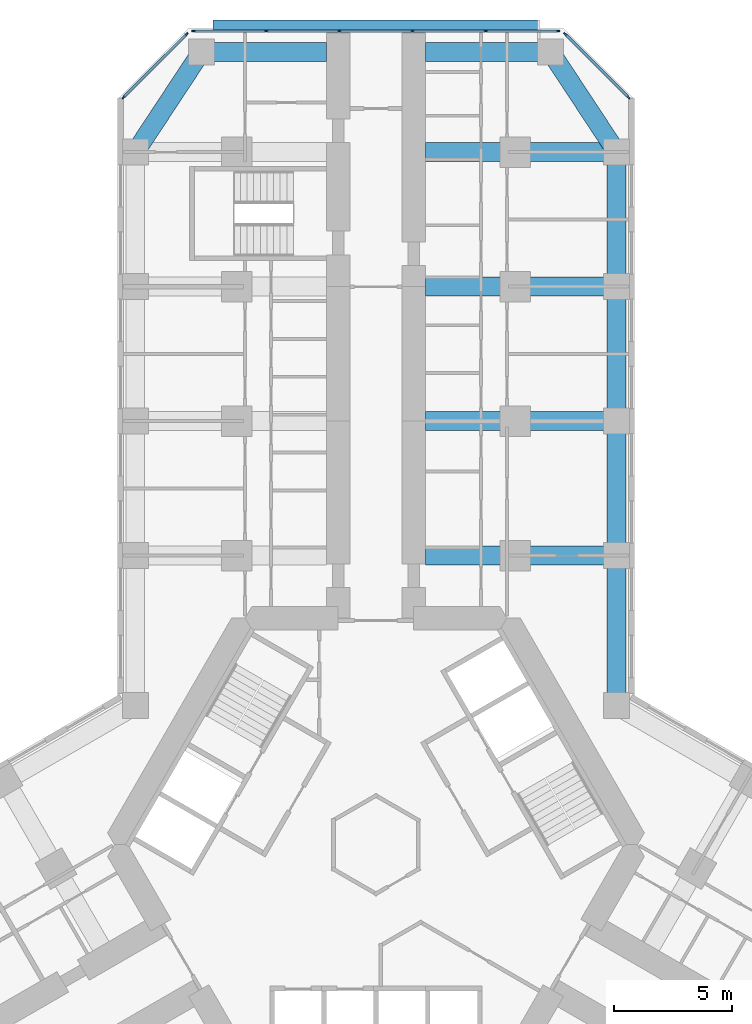
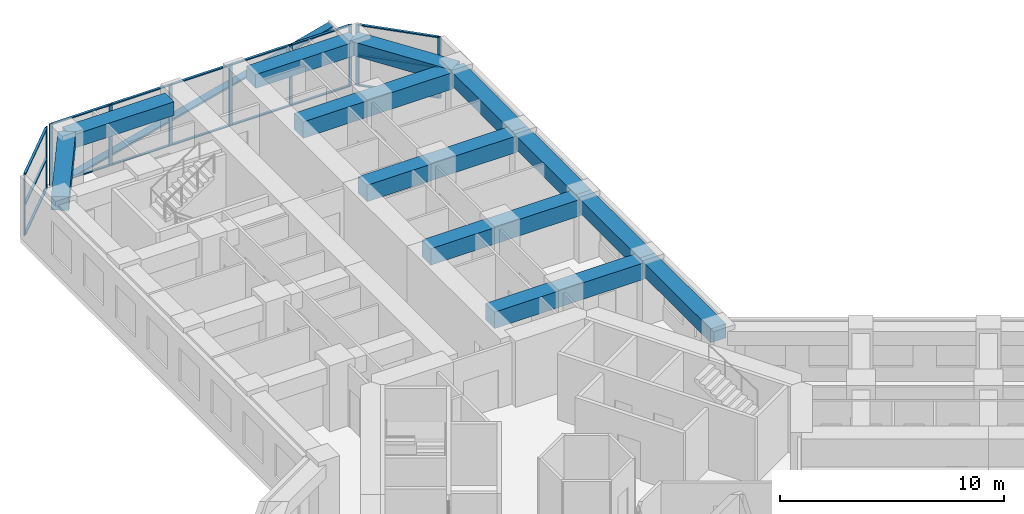
# One storey, part 7 of 21: 27 members, 12 beams, 3 elements without a shape of their own.
"""IFC4 building model written with IfcOpenShell, lengths in metres."""

from ifc_helpers import new_model, si_unit, direction, frame, origin, origin_2d, place, context, subcontext, project, spatial, rectangle, extrude, material, material_profile, profile_set, type_object, element, aggregate, save


model = new_model("IFC4")

# Units and contexts
model_context = context("Model", 3, precision=1e-05, world=origin(), true_north=direction((0.0, 1.0)))
body_context = subcontext(model_context, "Body", "Model", "MODEL_VIEW")
ifc_project = project(units=[si_unit("LENGTHUNIT", "METRE"), si_unit("AREAUNIT", "SQUARE_METRE"), si_unit("VOLUMEUNIT", "CUBIC_METRE"), si_unit("PLANEANGLEUNIT", "RADIAN"), si_unit("MASSUNIT", "GRAM", prefix="KILO")], contexts=[model_context])

# Site, building, storey
site_placement = place(None, origin())
site = spatial("IfcSite", under=ifc_project, at=site_placement, CompositionType="ELEMENT")
building_placement = place(site_placement, origin())
building = spatial("IfcBuilding", under=site, at=building_placement, Name="Kosmar Iwan School Tower", CompositionType="ELEMENT")
storey_placement = place(building_placement, frame((0.0, 0.0, 43.0)))
storey = spatial("IfcBuildingStorey", under=building, at=storey_placement, Name="L09", CompositionType="ELEMENT", Elevation=43.0)

# Member
ifc_material_1 = material(Name="Black anodised aluminium", Category="aluminium")
ifc_material_profile_1 = material_profile(ifc_material_1, rectangle(XDim=0.10009765625, YDim=0.39990234375, at=origin_2d()), Name="FIN 100x400")
ifc_profile_set_1 = profile_set([ifc_material_profile_1], Name="Black anodised aluminium")
member_type_1 = type_object("IfcMemberType", Name="Diagonal fin 100x400", PredefinedType="USERDEFINED", material=ifc_profile_set_1)
member_1_placement = place(storey_placement, frame((-6.898193359375, 34.75, -0.14990234375), z_axis=(0.967603633438, 0.0, 0.252474174041), x_axis=(-0.252474174041, 0.0, 0.967603633438)))
element("IfcMember", 1, at=member_1_placement, inside=storey, type_object=member_type_1, Name="Diagonal fin L09-F08", ObjectType="FIN", PredefinedType="USERDEFINED", context=body_context, shape_type="SweptSolid", body=[
    extrude(rectangle(XDim=0.10009765625, YDim=0.39990234375, at=origin_2d()), origin(), (0.0, 0.0, 1.0), 14.25830078125),
])

# Curtain wall, members
ifc_material_2 = material(Name="Dark glass in black aluminium frame", Category="aluminium")
curtain_wall_type_1 = type_object("IfcCurtainWallType", Name="Chamfer curtain wall dark glass", PredefinedType="USERDEFINED", material=ifc_material_2)
curtain_wall_1_placement = place(storey_placement, origin())
curtain_wall_1 = element("IfcCurtainWall", 2, at=curtain_wall_1_placement, inside=storey, type_object=curtain_wall_type_1, Name="Curtain wall L09-F07", ObjectType="FACETED CURTAIN WALL", PredefinedType="USERDEFINED")
ifc_material_3 = material(Name="Black anodised aluminium", Category="aluminium")
ifc_material_profile_2 = material_profile(ifc_material_3, rectangle(XDim=0.06005859375, YDim=0.159912109375, at=origin_2d()), Name="MULLION 60x160")
ifc_profile_set_2 = profile_set([ifc_material_profile_2], Name="Black anodised aluminium")
member_type_2 = type_object("IfcMemberType", Name="Mullion 60x160", PredefinedType="MULLION", material=ifc_profile_set_2)
member_2_placement = place(storey_placement, frame((10.69775390625, 31.675537109375, 0.0), z_axis=(0.0, 0.0, 1.0), x_axis=(-0.707106781187, -0.707106781187, 0.0)))
member_2 = element("IfcMember", 3, at=member_2_placement, type_object=member_type_2, Name="CW2 mullion 1", PredefinedType="MULLION", context=body_context, shape_type="SweptSolid", body=[
    extrude(rectangle(XDim=0.06005859375, YDim=0.159912109375, at=origin_2d()), origin(), (0.0, 0.0, 1.0), 3.35009765625),
])
member_3_placement = place(storey_placement, frame((8.025390625, 34.34765625, 0.0), z_axis=(0.0, 0.0, 1.0), x_axis=(-0.707106781187, -0.707106781187, 0.0)))
member_3 = element("IfcMember", 4, at=member_3_placement, type_object=member_type_2, Name="CW2 mullion 2", PredefinedType="MULLION", context=body_context, shape_type="SweptSolid", body=[
    extrude(rectangle(XDim=0.06005859375, YDim=0.159912109375, at=origin_2d()), origin(), (0.0, 0.0, 1.0), 3.35009765625),
])

ifc_material_4 = material(Name="Dark glass in black aluminium frame", Category="aluminium")
curtain_wall_type_2 = type_object("IfcCurtainWallType", Name="Tower curtain wall dark glass", PredefinedType="USERDEFINED", material=ifc_material_4)
curtain_wall_2_placement = place(storey_placement, origin())
curtain_wall_2 = element("IfcCurtainWall", 5, at=curtain_wall_2_placement, inside=storey, type_object=curtain_wall_type_2, Name="Curtain wall L09-F08", ObjectType="UNITISED CURTAIN WALL", PredefinedType="USERDEFINED")
member_4_placement = place(storey_placement, frame((7.71826171875, 34.47509765625, 0.0), z_axis=(0.0, 0.0, 1.0), x_axis=(0.0, -1.0, 0.0)))
member_4 = element("IfcMember", 6, at=member_4_placement, type_object=member_type_2, Name="CW1 mullion 1", PredefinedType="MULLION", context=body_context, shape_type="SweptSolid", body=[
    extrude(rectangle(XDim=0.06005859375, YDim=0.159912109375, at=origin_2d()), origin(), (0.0, 0.0, 1.0), 3.35009765625),
])
member_5_placement = place(storey_placement, frame((4.64892578125, 34.47509765625, 0.0), z_axis=(0.0, 0.0, 1.0), x_axis=(0.0, -1.0, 0.0)))
member_5 = element("IfcMember", 7, at=member_5_placement, type_object=member_type_2, Name="CW1 mullion 2", PredefinedType="MULLION", context=body_context, shape_type="SweptSolid", body=[
    extrude(rectangle(XDim=0.06005859375, YDim=0.159912109375, at=origin_2d()), origin(), (0.0, 0.0, 1.0), 3.35009765625),
])
member_6_placement = place(storey_placement, frame((1.549560546875, 34.47509765625, 0.0), z_axis=(0.0, 0.0, 1.0), x_axis=(0.0, -1.0, 0.0)))
member_6 = element("IfcMember", 8, at=member_6_placement, type_object=member_type_2, Name="CW1 mullion 3", PredefinedType="MULLION", context=body_context, shape_type="SweptSolid", body=[
    extrude(rectangle(XDim=0.06005859375, YDim=0.159912109375, at=origin_2d()), origin(), (0.0, 0.0, 1.0), 3.35009765625),
])
member_7_placement = place(storey_placement, frame((-1.549560546875, 34.47509765625, 0.0), z_axis=(0.0, 0.0, 1.0), x_axis=(0.0, -1.0, 0.0)))
member_7 = element("IfcMember", 9, at=member_7_placement, type_object=member_type_2, Name="CW1 mullion 4", PredefinedType="MULLION", context=body_context, shape_type="SweptSolid", body=[
    extrude(rectangle(XDim=0.06005859375, YDim=0.159912109375, at=origin_2d()), origin(), (0.0, 0.0, 1.0), 3.35009765625),
])
member_8_placement = place(storey_placement, frame((-4.64892578125, 34.47509765625, 0.0), z_axis=(0.0, 0.0, 1.0), x_axis=(0.0, -1.0, 0.0)))
member_8 = element("IfcMember", 10, at=member_8_placement, type_object=member_type_2, Name="CW1 mullion 5", PredefinedType="MULLION", context=body_context, shape_type="SweptSolid", body=[
    extrude(rectangle(XDim=0.06005859375, YDim=0.159912109375, at=origin_2d()), origin(), (0.0, 0.0, 1.0), 3.35009765625),
])
member_9_placement = place(storey_placement, frame((-7.71826171875, 34.47509765625, 0.0), z_axis=(0.0, 0.0, 1.0), x_axis=(0.0, -1.0, 0.0)))
member_9 = element("IfcMember", 11, at=member_9_placement, type_object=member_type_2, Name="CW1 mullion 6", PredefinedType="MULLION", context=body_context, shape_type="SweptSolid", body=[
    extrude(rectangle(XDim=0.06005859375, YDim=0.159912109375, at=origin_2d()), origin(), (0.0, 0.0, 1.0), 3.35009765625),
])

curtain_wall_3_placement = place(storey_placement, origin())
curtain_wall_3 = element("IfcCurtainWall", 12, at=curtain_wall_3_placement, inside=storey, type_object=curtain_wall_type_1, Name="Curtain wall L09-F09", ObjectType="FACETED CURTAIN WALL", PredefinedType="USERDEFINED")
member_10_placement = place(storey_placement, frame((-8.025390625, 34.34765625, 0.0), z_axis=(0.0, 0.0, 1.0), x_axis=(0.707106781187, -0.707106781187, 0.0)))
member_10 = element("IfcMember", 13, at=member_10_placement, type_object=member_type_2, Name="CW2 mullion 1", PredefinedType="MULLION", context=body_context, shape_type="SweptSolid", body=[
    extrude(rectangle(XDim=0.06005859375, YDim=0.159912109375, at=origin_2d()), origin(), (0.0, 0.0, 1.0), 3.35009765625),
])
member_11_placement = place(storey_placement, frame((-10.69775390625, 31.675537109375, 0.0), z_axis=(0.0, 0.0, 1.0), x_axis=(0.707106781187, -0.707106781187, 0.0)))
member_11 = element("IfcMember", 14, at=member_11_placement, type_object=member_type_2, Name="CW2 mullion 2", PredefinedType="MULLION", context=body_context, shape_type="SweptSolid", body=[
    extrude(rectangle(XDim=0.06005859375, YDim=0.159912109375, at=origin_2d()), origin(), (0.0, 0.0, 1.0), 3.35009765625),
])

# Beams
ifc_material_5 = material(Name="Concrete C50/60", Category="concrete")
ifc_material_profile_3 = material_profile(ifc_material_5, rectangle(XDim=0.800048828125, YDim=0.75, at=origin_2d()), Name="RC 800x750")
ifc_profile_set_3 = profile_set([ifc_material_profile_3], Name="Concrete C50/60")
beam_type_1 = type_object("IfcBeamType", Name="RC edge beam 800x750", PredefinedType="BEAM", material=ifc_profile_set_3)
beam_1_placement = place(storey_placement, frame((10.199951171875, 5.888916015625, 2.97509765625), z_axis=(0.0, 1.0, 0.0), x_axis=(-1.0, 0.0, 0.0)))
element("IfcBeam", 15, at=beam_1_placement, inside=storey, type_object=beam_type_1, Name="Edge beam AR1", PredefinedType="BEAM", context=body_context, shape_type="SweptSolid", body=[
    extrude(rectangle(XDim=0.800048828125, YDim=0.75, at=origin_2d()), origin(), (0.0, 0.0, 1.0), 6.361083984375),
])
for number, where, z_axis, x_axis, name in (
    (16, (10.199951171875, 12.25, 2.97509765625), (0.0, 1.0, 0.0), (-1.0, 0.0, 0.0), "Edge beam AR2"),
    (17, (10.199951171875, 17.949951171875, 2.97509765625), (0.0, 1.0, 0.0), (-1.0, 0.0, 0.0), "Edge beam AR3"),
):
    element("IfcBeam", number, at=place(storey_placement, frame(where, z_axis=z_axis, x_axis=x_axis)), inside=storey, type_object=beam_type_1, Name=name, PredefinedType="BEAM", context=body_context, shape_type="SweptSolid", body=[
        extrude(rectangle(XDim=0.800048828125, YDim=0.75, at=origin_2d()), origin(), (0.0, 0.0, 1.0), 5.699951171875),
    ])
beam_2_placement = place(storey_placement, frame((10.199951171875, 23.64990234375, 2.97509765625), z_axis=(0.0, 1.0, 0.0), x_axis=(-1.0, 0.0, 0.0)))
element("IfcBeam", 18, at=beam_2_placement, inside=storey, type_object=beam_type_1, Name="Edge beam AR4", PredefinedType="BEAM", context=body_context, shape_type="SweptSolid", body=[
    extrude(rectangle(XDim=0.800048828125, YDim=0.75, at=origin_2d()), origin(), (0.0, 0.0, 1.0), 5.7001953125),
])
ifc_material_6 = material(Name="Concrete C50/60", Category="concrete")
ifc_material_profile_4 = material_profile(ifc_material_6, rectangle(XDim=0.800048828125, YDim=0.75, at=origin_2d()), Name="RC 800x750")
ifc_profile_set_4 = profile_set([ifc_material_profile_4], Name="Concrete C50/60")
beam_type_2 = type_object("IfcBeamType", Name="RC tip beam 800x750", PredefinedType="BEAM", material=ifc_profile_set_4)
beam_3_placement = place(storey_placement, frame((-10.199951171875, 29.35009765625, 2.97509765625), z_axis=(0.550164383043, 0.835056376319, 0.0), x_axis=(-0.835056376319, 0.550164383043, 0.0)))
element("IfcBeam", 19, at=beam_3_placement, inside=storey, type_object=beam_type_2, Name="Tip beam AL", PredefinedType="BEAM", context=body_context, shape_type="SweptSolid", body=[
    extrude(rectangle(XDim=0.800048828125, YDim=0.75, at=origin_2d()), origin(), (0.0, 0.0, 1.0), 5.08935546875),
])
beam_4_placement = place(storey_placement, frame((-7.39990234375, 33.60009765625, 2.97509765625), z_axis=(1.0, 0.0, 0.0), x_axis=(0.0, 1.0, 0.0)))
element("IfcBeam", 20, at=beam_4_placement, inside=storey, type_object=beam_type_2, Name="Tip beam AL to corridor wall", PredefinedType="BEAM", context=body_context, shape_type="SweptSolid", body=[
    extrude(rectangle(XDim=0.800048828125, YDim=0.75, at=origin_2d()), origin(), (0.0, 0.0, 1.0), 5.2998046875),
])
beam_5_placement = place(storey_placement, frame((10.199951171875, 29.35009765625, 2.97509765625), z_axis=(-0.550164383043, 0.835056376319, 0.0), x_axis=(-0.835056376319, -0.550164383043, 0.0)))
element("IfcBeam", 21, at=beam_5_placement, inside=storey, type_object=beam_type_2, Name="Tip beam AR", PredefinedType="BEAM", context=body_context, shape_type="SweptSolid", body=[
    extrude(rectangle(XDim=0.800048828125, YDim=0.75, at=origin_2d()), origin(), (0.0, 0.0, 1.0), 5.08935546875),
])
beam_6_placement = place(storey_placement, frame((7.39990234375, 33.60009765625, 2.97509765625), z_axis=(-1.0, 0.0, 0.0), x_axis=(0.0, -1.0, 0.0)))
element("IfcBeam", 22, at=beam_6_placement, inside=storey, type_object=beam_type_2, Name="Tip beam AR to corridor wall", PredefinedType="BEAM", context=body_context, shape_type="SweptSolid", body=[
    extrude(rectangle(XDim=0.800048828125, YDim=0.75, at=origin_2d()), origin(), (0.0, 0.0, 1.0), 5.2998046875),
])
ifc_material_7 = material(Name="Concrete C50/60", Category="concrete")
ifc_material_profile_5 = material_profile(ifc_material_7, rectangle(XDim=0.800048828125, YDim=0.89990234375, at=origin_2d()), Name="RC 800x900")
ifc_profile_set_5 = profile_set([ifc_material_profile_5], Name="Concrete C50/60")
beam_type_3 = type_object("IfcBeamType", Name="RC transverse beam 800x900", PredefinedType="BEAM", material=ifc_profile_set_5)
for number, where, z_axis, x_axis, name in (
    (23, (10.199951171875, 12.25, 2.89990234375), (-1.0, 0.0, 0.0), (0.0, -1.0, 0.0), "Transverse beam AR1"),
    (24, (10.199951171875, 17.949951171875, 2.89990234375), (-1.0, 0.0, 0.0), (0.0, -1.0, 0.0), "Transverse beam AR2"),
    (25, (10.199951171875, 23.64990234375, 2.89990234375), (-1.0, 0.0, 0.0), (0.0, -1.0, 0.0), "Transverse beam AR3"),
    (26, (10.199951171875, 29.35009765625, 2.89990234375), (-1.0, 0.0, 0.0), (0.0, -1.0, 0.0), "Transverse beam AR4"),
):
    element("IfcBeam", number, at=place(storey_placement, frame(where, z_axis=z_axis, x_axis=x_axis)), inside=storey, type_object=beam_type_3, Name=name, PredefinedType="BEAM", context=body_context, shape_type="SweptSolid", body=[
        extrude(rectangle(XDim=0.800048828125, YDim=0.89990234375, at=origin_2d()), origin(), (0.0, 0.0, 1.0), 8.099853515625),
    ])

# Member
ifc_material_8 = material(Name="Black anodised aluminium", Category="aluminium")
ifc_material_profile_6 = material_profile(ifc_material_8, rectangle(XDim=0.1201171875, YDim=0.06005859375, at=origin_2d()), Name="TRANSOM 60x120")
ifc_profile_set_6 = profile_set([ifc_material_profile_6], Name="Black anodised aluminium")
member_type_3 = type_object("IfcMemberType", Name="Transom 60x120", PredefinedType="USERDEFINED", material=ifc_profile_set_6)
member_12_placement = place(storey_placement, frame((10.676513671875, 31.69677734375, 0.030029296875), z_axis=(-0.707139603466, 0.707073957383, 0.0), x_axis=(-0.707073957383, -0.707139603466, 0.0)))
member_12 = element("IfcMember", 27, at=member_12_placement, type_object=member_type_3, Name="CW2 transom 1.1", ObjectType="TRANSOM", PredefinedType="USERDEFINED", context=body_context, shape_type="SweptSolid", body=[
    extrude(rectangle(XDim=0.1201171875, YDim=0.06005859375, at=origin_2d()), origin(), (0.0, 0.0, 1.0), 3.718994140625),
])

member_13_placement = place(storey_placement, frame((10.676513671875, 31.69677734375, 1.675048828125), z_axis=(-0.707139603466, 0.707073957383, 0.0), x_axis=(-0.707073957383, -0.707139603466, 0.0)))
member_13 = element("IfcMember", 28, at=member_13_placement, type_object=member_type_3, Name="CW2 transom 1.2", ObjectType="TRANSOM", PredefinedType="USERDEFINED", context=body_context, shape_type="SweptSolid", body=[
    extrude(rectangle(XDim=0.1201171875, YDim=0.06005859375, at=origin_2d()), origin(), (0.0, 0.0, 1.0), 3.718994140625),
])

member_14_placement = place(storey_placement, frame((10.676513671875, 31.69677734375, 3.320068359375), z_axis=(-0.707139603466, 0.707073957383, 0.0), x_axis=(-0.707073957383, -0.707139603466, 0.0)))
member_14 = element("IfcMember", 29, at=member_14_placement, type_object=member_type_3, Name="CW2 transom 1.3", ObjectType="TRANSOM", PredefinedType="USERDEFINED", context=body_context, shape_type="SweptSolid", body=[
    extrude(rectangle(XDim=0.1201171875, YDim=0.06005859375, at=origin_2d()), origin(), (0.0, 0.0, 1.0), 3.718994140625),
])

aggregate(curtain_wall_1, [member_2, member_3, member_12, member_13, member_14])

member_15_placement = place(storey_placement, frame((7.688232421875, 34.47509765625, 0.030029296875), z_axis=(-1.0, 0.0, 0.0), x_axis=(0.0, -1.0, 0.0)))
member_15 = element("IfcMember", 30, at=member_15_placement, type_object=member_type_3, Name="CW1 transom 1.1", ObjectType="TRANSOM", PredefinedType="USERDEFINED", context=body_context, shape_type="SweptSolid", body=[
    extrude(rectangle(XDim=0.1201171875, YDim=0.06005859375, at=origin_2d()), origin(), (0.0, 0.0, 1.0), 3.00927734375),
])

member_16_placement = place(storey_placement, frame((7.688232421875, 34.47509765625, 3.320068359375), z_axis=(-1.0, 0.0, 0.0), x_axis=(0.0, -1.0, 0.0)))
member_16 = element("IfcMember", 31, at=member_16_placement, type_object=member_type_3, Name="CW1 transom 1.2", ObjectType="TRANSOM", PredefinedType="USERDEFINED", context=body_context, shape_type="SweptSolid", body=[
    extrude(rectangle(XDim=0.1201171875, YDim=0.06005859375, at=origin_2d()), origin(), (0.0, 0.0, 1.0), 3.00927734375),
])

member_17_placement = place(storey_placement, frame((4.618896484375, 34.47509765625, 0.030029296875), z_axis=(-1.0, 0.0, 0.0), x_axis=(0.0, -1.0, 0.0)))
member_17 = element("IfcMember", 32, at=member_17_placement, type_object=member_type_3, Name="CW1 transom 2.1", ObjectType="TRANSOM", PredefinedType="USERDEFINED", context=body_context, shape_type="SweptSolid", body=[
    extrude(rectangle(XDim=0.1201171875, YDim=0.06005859375, at=origin_2d()), origin(), (0.0, 0.0, 1.0), 3.039306640625),
])

member_18_placement = place(storey_placement, frame((4.618896484375, 34.47509765625, 3.320068359375), z_axis=(-1.0, 0.0, 0.0), x_axis=(0.0, -1.0, 0.0)))
member_18 = element("IfcMember", 33, at=member_18_placement, type_object=member_type_3, Name="CW1 transom 2.2", ObjectType="TRANSOM", PredefinedType="USERDEFINED", context=body_context, shape_type="SweptSolid", body=[
    extrude(rectangle(XDim=0.1201171875, YDim=0.06005859375, at=origin_2d()), origin(), (0.0, 0.0, 1.0), 3.039306640625),
])

member_19_placement = place(storey_placement, frame((1.51953125, 34.47509765625, 0.030029296875), z_axis=(-1.0, 0.0, 0.0), x_axis=(0.0, -1.0, 0.0)))
member_19 = element("IfcMember", 34, at=member_19_placement, type_object=member_type_3, Name="CW1 transom 3.1", ObjectType="TRANSOM", PredefinedType="USERDEFINED", context=body_context, shape_type="SweptSolid", body=[
    extrude(rectangle(XDim=0.1201171875, YDim=0.06005859375, at=origin_2d()), origin(), (0.0, 0.0, 1.0), 3.0390625),
])

member_20_placement = place(storey_placement, frame((1.51953125, 34.47509765625, 3.320068359375), z_axis=(-1.0, 0.0, 0.0), x_axis=(0.0, -1.0, 0.0)))
member_20 = element("IfcMember", 35, at=member_20_placement, type_object=member_type_3, Name="CW1 transom 3.2", ObjectType="TRANSOM", PredefinedType="USERDEFINED", context=body_context, shape_type="SweptSolid", body=[
    extrude(rectangle(XDim=0.1201171875, YDim=0.06005859375, at=origin_2d()), origin(), (0.0, 0.0, 1.0), 3.0390625),
])

member_21_placement = place(storey_placement, frame((-1.57958984375, 34.47509765625, 0.030029296875), z_axis=(-1.0, 0.0, 0.0), x_axis=(0.0, -1.0, 0.0)))
member_21 = element("IfcMember", 36, at=member_21_placement, type_object=member_type_3, Name="CW1 transom 4.1", ObjectType="TRANSOM", PredefinedType="USERDEFINED", context=body_context, shape_type="SweptSolid", body=[
    extrude(rectangle(XDim=0.1201171875, YDim=0.06005859375, at=origin_2d()), origin(), (0.0, 0.0, 1.0), 3.039306640625),
])

member_22_placement = place(storey_placement, frame((-1.57958984375, 34.47509765625, 3.320068359375), z_axis=(-1.0, 0.0, 0.0), x_axis=(0.0, -1.0, 0.0)))
member_22 = element("IfcMember", 37, at=member_22_placement, type_object=member_type_3, Name="CW1 transom 4.2", ObjectType="TRANSOM", PredefinedType="USERDEFINED", context=body_context, shape_type="SweptSolid", body=[
    extrude(rectangle(XDim=0.1201171875, YDim=0.06005859375, at=origin_2d()), origin(), (0.0, 0.0, 1.0), 3.039306640625),
])

member_23_placement = place(storey_placement, frame((-4.678955078125, 34.47509765625, 0.030029296875), z_axis=(-1.0, 0.0, 0.0), x_axis=(0.0, -1.0, 0.0)))
member_23 = element("IfcMember", 38, at=member_23_placement, type_object=member_type_3, Name="CW1 transom 5.1", ObjectType="TRANSOM", PredefinedType="USERDEFINED", context=body_context, shape_type="SweptSolid", body=[
    extrude(rectangle(XDim=0.1201171875, YDim=0.06005859375, at=origin_2d()), origin(), (0.0, 0.0, 1.0), 3.00927734375),
])

member_24_placement = place(storey_placement, frame((-4.678955078125, 34.47509765625, 3.320068359375), z_axis=(-1.0, 0.0, 0.0), x_axis=(0.0, -1.0, 0.0)))
member_24 = element("IfcMember", 39, at=member_24_placement, type_object=member_type_3, Name="CW1 transom 5.2", ObjectType="TRANSOM", PredefinedType="USERDEFINED", context=body_context, shape_type="SweptSolid", body=[
    extrude(rectangle(XDim=0.1201171875, YDim=0.06005859375, at=origin_2d()), origin(), (0.0, 0.0, 1.0), 3.00927734375),
])

aggregate(curtain_wall_2, [member_4, member_5, member_6, member_7, member_8, member_9, member_15, member_16, member_17, member_18, member_19, member_20, member_21, member_22, member_23, member_24])

member_25_placement = place(storey_placement, frame((-8.046630859375, 34.326416015625, 0.030029296875), z_axis=(-0.707139603466, -0.707073957383, 0.0), x_axis=(0.707073957383, -0.707139603466, 0.0)))
member_25 = element("IfcMember", 40, at=member_25_placement, type_object=member_type_3, Name="CW2 transom 1.1", ObjectType="TRANSOM", PredefinedType="USERDEFINED", context=body_context, shape_type="SweptSolid", body=[
    extrude(rectangle(XDim=0.1201171875, YDim=0.06005859375, at=origin_2d()), origin(), (0.0, 0.0, 1.0), 3.718994140625),
])

member_26_placement = place(storey_placement, frame((-8.046630859375, 34.326416015625, 1.675048828125), z_axis=(-0.707139603466, -0.707073957383, 0.0), x_axis=(0.707073957383, -0.707139603466, 0.0)))
member_26 = element("IfcMember", 41, at=member_26_placement, type_object=member_type_3, Name="CW2 transom 1.2", ObjectType="TRANSOM", PredefinedType="USERDEFINED", context=body_context, shape_type="SweptSolid", body=[
    extrude(rectangle(XDim=0.1201171875, YDim=0.06005859375, at=origin_2d()), origin(), (0.0, 0.0, 1.0), 3.718994140625),
])

member_27_placement = place(storey_placement, frame((-8.046630859375, 34.326416015625, 3.320068359375), z_axis=(-0.707139603466, -0.707073957383, 0.0), x_axis=(0.707073957383, -0.707139603466, 0.0)))
member_27 = element("IfcMember", 42, at=member_27_placement, type_object=member_type_3, Name="CW2 transom 1.3", ObjectType="TRANSOM", PredefinedType="USERDEFINED", context=body_context, shape_type="SweptSolid", body=[
    extrude(rectangle(XDim=0.1201171875, YDim=0.06005859375, at=origin_2d()), origin(), (0.0, 0.0, 1.0), 3.718994140625),
])

aggregate(curtain_wall_3, [member_10, member_11, member_25, member_26, member_27])

save(model, "model.ifc")
